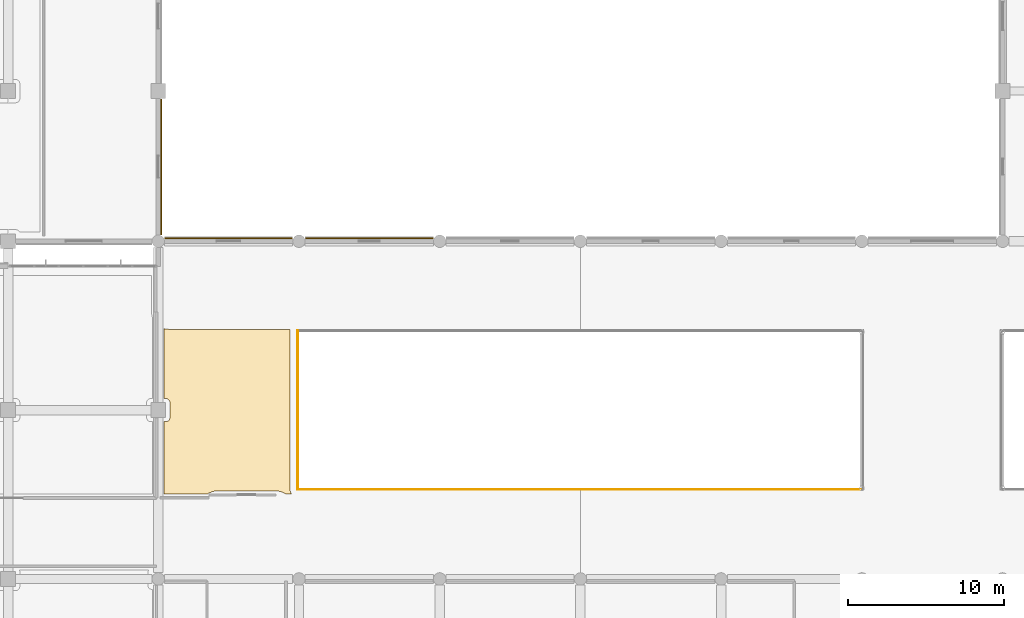
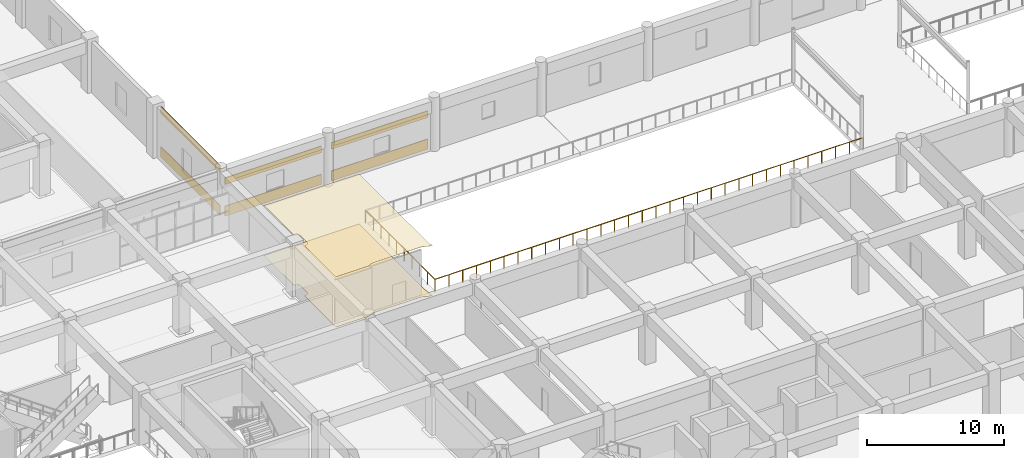
# One storey, part 76 of 86: 8 coverings, 2 railings.
"""IFC4 building model written with IfcOpenShell, lengths in metres."""

from ifc_helpers import new_model, si_unit, direction, frame, origin, origin_2d, place, context, subcontext, project, spatial, polyline, rectangle, circle, outline, extrude, material, layer, layer_set, type_object, element, save


model = new_model("IFC4")

# Units and contexts
model_context = context("Model", 3, precision=1e-05, world=origin(), true_north=direction((0.0, 1.0)))
body_context = subcontext(model_context, "Body", "Model", "MODEL_VIEW")
ifc_project = project(units=[si_unit("LENGTHUNIT", "METRE"), si_unit("AREAUNIT", "SQUARE_METRE"), si_unit("VOLUMEUNIT", "CUBIC_METRE"), si_unit("PLANEANGLEUNIT", "RADIAN"), si_unit("MASSUNIT", "GRAM", prefix="KILO")], contexts=[model_context])

# Site, building, storey
site_placement = place(None, origin())
site = spatial("IfcSite", under=ifc_project, at=site_placement, CompositionType="ELEMENT")
building_placement = place(site_placement, origin())
building = spatial("IfcBuilding", under=site, at=building_placement, Name="Cendralis Terraced Arcade", CompositionType="ELEMENT")
storey_placement = place(building_placement, frame((0.0, 0.0, 5.39990234375)))
storey = spatial("IfcBuildingStorey", under=building, at=storey_placement, Name="L01", CompositionType="ELEMENT", Elevation=5.39990234375)

# Coverings
ifc_material_1 = material(Name="Gypsum plasterboard acoustic partition")
ifc_layer_1 = layer(ifc_material_1, 0.02490234375, Name="COV-CEIL-ACOU-25")
ifc_layer_set_1 = layer_set([ifc_layer_1], Name="Gypsum plasterboard acoustic partition")
covering_type_1 = type_object("IfcCoveringType", Name="COV-CEIL-ACOU-25", PredefinedType="CEILING", material=ifc_layer_set_1)
covering_1_placement = place(storey_placement, frame((0.0, 0.0, 4.47998046875)))
element("IfcCovering", 1, at=covering_1_placement, inside=storey, type_object=covering_type_1, Name="Acoustic Soffit Ceiling L01-054", PredefinedType="CEILING", context=body_context, shape_type="SweptSolid", body=[
    extrude(outline(polyline([(67.574951171875, 54.412841796875), (67.5810546875, 54.411376953125), (67.639892578125, 54.396484375), (67.64599609375, 54.395263671875), (67.651611328125, 54.393798828125), (67.65771484375, 54.392578125), (67.669189453125, 54.390380859375), (67.67529296875, 54.38916015625), (67.68115234375, 54.38818359375), (67.68701171875, 54.38720703125), (67.747314453125, 54.37841796875), (67.75341796875, 54.37744140625), (67.75927734375, 54.376708984375), (67.765380859375, 54.376220703125), (67.777099609375, 54.375), (67.783203125, 54.37451171875), (67.7890625, 54.3740234375), (67.795166015625, 54.37353515625), (67.85595703125, 54.37060546875), (67.85888671875, 54.37060546875), (67.862060546875, 54.370361328125), (67.864990234375, 54.370361328125), (67.870849609375, 54.3701171875), (67.8740234375, 54.3701171875), (67.876953125, 54.3701171875), (67.8798828125, 54.3701171875), (75.63525390625, 54.3701171875), (75.6337890625, 54.365478515625), (75.630615234375, 54.353759765625), (75.625244140625, 54.332763671875), (75.62255859375, 54.32080078125), (75.620361328125, 54.309326171875), (75.6181640625, 54.297119140625), (75.614990234375, 54.27587890625), (75.613525390625, 54.263671875), (75.6123046875, 54.251953125), (75.611572265625, 54.23974609375), (75.6103515625, 54.21826171875), (75.610107421875, 54.2119140625), (75.610107421875, 54.2060546875), (75.610107421875, 54.199951171875), (75.610107421875, 44.199951171875), (75.610107421875, 44.19384765625), (75.610107421875, 44.18798828125), (75.6103515625, 44.181884765625), (75.611572265625, 44.160400390625), (75.6123046875, 44.14794921875), (75.613525390625, 44.13623046875), (75.614990234375, 44.1240234375), (75.6181640625, 44.102783203125), (75.620361328125, 44.0908203125), (75.62255859375, 44.0791015625), (75.625244140625, 44.067138671875), (75.630615234375, 44.046142578125), (75.6337890625, 44.034423828125), (75.63720703125, 44.023193359375), (75.64111328125, 44.011474609375), (75.6484375, 43.9912109375), (75.65283203125, 43.979736328125), (75.6572265625, 43.96875), (75.662353515625, 43.95751953125), (75.67138671875, 43.93798828125), (75.677001953125, 43.927001953125), (75.6826171875, 43.916748046875), (75.688720703125, 43.906005859375), (75.69970703125, 43.8876953125), (75.706298828125, 43.877197265625), (75.712890625, 43.867431640625), (75.719970703125, 43.857421875), (75.73291015625, 43.840087890625), (75.740234375, 43.830322265625), (75.740478515625, 43.830078125), (75.3544921875, 43.830078125), (75.350830078125, 43.832763671875), (75.345947265625, 43.836181640625), (75.3408203125, 43.839599609375), (75.3310546875, 43.84619140625), (75.325927734375, 43.849365234375), (75.321044921875, 43.8525390625), (75.31591796875, 43.855712890625), (75.263671875, 43.88720703125), (75.25830078125, 43.89013671875), (75.253173828125, 43.89306640625), (75.247802734375, 43.89599609375), (75.2373046875, 43.901611328125), (75.23193359375, 43.904296875), (75.226806640625, 43.906982421875), (75.22119140625, 43.90966796875), (75.166259765625, 43.935791015625), (75.16064453125, 43.938232421875), (75.1552734375, 43.940673828125), (75.149658203125, 43.943115234375), (75.138671875, 43.947509765625), (75.133056640625, 43.949951171875), (75.12744140625, 43.951904296875), (75.12158203125, 43.9541015625), (75.064453125, 43.974609375), (75.05859375, 43.976806640625), (75.052978515625, 43.978515625), (75.047119140625, 43.98046875), (75.035888671875, 43.98388671875), (75.030029296875, 43.985595703125), (75.0244140625, 43.987060546875), (75.018310546875, 43.988525390625), (74.95947265625, 44.00341796875), (74.953369140625, 44.0048828125), (74.94775390625, 44.006103515625), (74.941650390625, 44.00732421875), (74.93017578125, 44.009765625), (74.924072265625, 44.0107421875), (74.918212890625, 44.01171875), (74.912109375, 44.0126953125), (74.85205078125, 44.021728515625), (74.845947265625, 44.0224609375), (74.840087890625, 44.023193359375), (74.833984375, 44.02392578125), (74.822265625, 44.025146484375), (74.816162109375, 44.025634765625), (74.810302734375, 44.02587890625), (74.80419921875, 44.0263671875), (74.743408203125, 44.029296875), (74.740478515625, 44.029541015625), (74.7373046875, 44.029541015625), (74.734375, 44.02978515625), (74.728515625, 44.02978515625), (74.725341796875, 44.02978515625), (74.722412109375, 44.030029296875), (74.719482421875, 44.030029296875), (70.980712890625, 44.030029296875), (70.9775390625, 44.030029296875), (70.974609375, 44.02978515625), (70.9716796875, 44.02978515625), (70.9658203125, 44.02978515625), (70.962890625, 44.02978515625), (70.959716796875, 44.029541015625), (70.956787109375, 44.029296875), (70.896484375, 44.026611328125), (70.890625, 44.026123046875), (70.884765625, 44.025634765625), (70.878662109375, 44.025146484375), (70.8671875, 44.024169921875), (70.861083984375, 44.0234375), (70.855224609375, 44.022705078125), (70.849365234375, 44.02197265625), (70.789794921875, 44.01318359375), (70.78369140625, 44.01220703125), (70.77783203125, 44.01123046875), (70.77197265625, 44.010009765625), (70.760498046875, 44.0078125), (70.754638671875, 44.006591796875), (70.748779296875, 44.00537109375), (70.742919921875, 44.00390625), (70.6845703125, 43.989501953125), (70.6787109375, 43.98779296875), (70.673095703125, 43.986328125), (70.667236328125, 43.984619140625), (70.656005859375, 43.981201171875), (70.650146484375, 43.9794921875), (70.64453125, 43.977783203125), (70.638916015625, 43.975830078125), (70.58203125, 43.955810546875), (70.576416015625, 43.95361328125), (70.571044921875, 43.951416015625), (70.565185546875, 43.94921875), (70.554443359375, 43.94482421875), (70.548828125, 43.9423828125), (70.543701171875, 43.940185546875), (70.5380859375, 43.9375), (70.4833984375, 43.912109375), (70.47802734375, 43.909423828125), (70.472900390625, 43.906982421875), (70.46728515625, 43.904052734375), (70.45703125, 43.898681640625), (70.451904296875, 43.895751953125), (70.44677734375, 43.892822265625), (70.44140625, 43.889892578125), (70.3896484375, 43.859130859375), (70.384521484375, 43.85595703125), (70.37939453125, 43.852783203125), (70.374267578125, 43.849609375), (70.364501953125, 43.84326171875), (70.359619140625, 43.83984375), (70.354736328125, 43.83642578125), (70.349853515625, 43.8330078125), (70.34716796875, 43.830810546875), (67.570068359375, 43.830078125), (67.570068359375, 48.455078125), (67.675048828125, 48.455078125), (67.687255859375, 48.455322265625), (67.689208984375, 48.455322265625), (67.713623046875, 48.457763671875), (67.715576171875, 48.4580078125), (67.739501953125, 48.462890625), (67.74169921875, 48.46337890625), (67.764892578125, 48.470458984375), (67.766845703125, 48.47119140625), (67.78955078125, 48.48046875), (67.791259765625, 48.4814453125), (67.81298828125, 48.492919921875), (67.814697265625, 48.493896484375), (67.8349609375, 48.507568359375), (67.836669921875, 48.5087890625), (67.855712890625, 48.5244140625), (67.85693359375, 48.525634765625), (67.87451171875, 48.54296875), (67.875732421875, 48.54443359375), (67.891357421875, 48.5634765625), (67.892333984375, 48.56494140625), (67.906005859375, 48.58544921875), (67.906982421875, 48.5869140625), (67.918701171875, 48.608642578125), (67.91943359375, 48.610595703125), (67.928955078125, 48.633056640625), (67.929443359375, 48.635009765625), (67.9365234375, 48.658447265625), (67.93701171875, 48.660400390625), (67.94189453125, 48.684326171875), (67.942138671875, 48.686279296875), (67.944580078125, 48.710693359375), (67.944580078125, 48.712646484375), (67.945068359375, 48.72509765625), (67.945068359375, 49.675048828125), (67.944580078125, 49.687255859375), (67.944580078125, 49.689208984375), (67.942138671875, 49.713623046875), (67.94189453125, 49.715576171875), (67.93701171875, 49.739501953125), (67.9365234375, 49.74169921875), (67.929443359375, 49.764892578125), (67.928955078125, 49.766845703125), (67.91943359375, 49.78955078125), (67.918701171875, 49.791259765625), (67.906982421875, 49.81298828125), (67.906005859375, 49.814697265625), (67.892333984375, 49.8349609375), (67.891357421875, 49.836669921875), (67.875732421875, 49.855712890625), (67.87451171875, 49.85693359375), (67.85693359375, 49.87451171875), (67.855712890625, 49.875732421875), (67.836669921875, 49.891357421875), (67.8349609375, 49.892333984375), (67.814697265625, 49.906005859375), (67.81298828125, 49.906982421875), (67.791259765625, 49.918701171875), (67.78955078125, 49.91943359375), (67.766845703125, 49.928955078125), (67.764892578125, 49.929443359375), (67.74169921875, 49.9365234375), (67.739501953125, 49.93701171875), (67.715576171875, 49.94189453125), (67.713623046875, 49.942138671875), (67.689208984375, 49.944580078125), (67.687255859375, 49.944580078125), (67.675048828125, 49.945068359375), (67.570068359375, 49.945068359375), (67.570068359375, 54.414306640625), (67.574951171875, 54.412841796875)])), origin(), (0.0, 0.0, 1.0), 0.025146484375),
])
ifc_material_2 = material(Name="Precast concrete f'c 40 MPa", Category="concrete")
ifc_layer_2 = layer(ifc_material_2, 0.06494140625, Name="COV-CLAD-GRC-65")
ifc_layer_set_2 = layer_set([ifc_layer_2], Name="Precast concrete f'c 40 MPa")
covering_type_2 = type_object("IfcCoveringType", Name="COV-CLAD-GRC-65", PredefinedType="CLADDING", material=ifc_layer_set_2)
covering_2_placement = place(storey_placement, frame((71.699951171875, 60.179931640625, 0.000244140625), z_axis=(0.0, 0.0, 1.0), x_axis=(1.0, 0.0, 0.0)))
element("IfcCovering", 2, at=covering_2_placement, inside=storey, type_object=covering_type_2, Name="Banded Precast Stone Spandrel Cladding L01-195", PredefinedType="CLADDING", context=body_context, shape_type="SweptSolid", body=[
    extrude(rectangle(XDim=8.14404296875, YDim=0.06494140625, at=origin_2d()), origin(), (0.0, 0.0, 1.0), 0.89990234375),
])
covering_3_placement = place(storey_placement, frame((71.699951171875, 60.179931640625, 2.824951171875), z_axis=(0.0, 0.0, 1.0), x_axis=(1.0, 0.0, 0.0)))
element("IfcCovering", 3, at=covering_3_placement, inside=storey, type_object=covering_type_2, Name="Banded Precast Stone Lintel Cladding L01-196", PredefinedType="CLADDING", context=body_context, shape_type="SweptSolid", body=[
    extrude(rectangle(XDim=8.14404296875, YDim=0.06494140625, at=origin_2d()), origin(), (0.0, 0.0, 1.0), 0.60009765625),
])
covering_4_placement = place(storey_placement, frame((80.699951171875, 60.179931640625, 0.000244140625), z_axis=(0.0, 0.0, 1.0), x_axis=(1.0, 0.0, 0.0)))
element("IfcCovering", 4, at=covering_4_placement, inside=storey, type_object=covering_type_2, Name="Banded Precast Stone Spandrel Cladding L01-197", PredefinedType="CLADDING", context=body_context, shape_type="SweptSolid", body=[
    extrude(rectangle(XDim=8.14404296875, YDim=0.06494140625, at=origin_2d()), origin(), (0.0, 0.0, 1.0), 0.89990234375),
])
covering_5_placement = place(storey_placement, frame((80.699951171875, 60.179931640625, 2.824951171875), z_axis=(0.0, 0.0, 1.0), x_axis=(1.0, 0.0, 0.0)))
element("IfcCovering", 5, at=covering_5_placement, inside=storey, type_object=covering_type_2, Name="Banded Precast Stone Lintel Cladding L01-198", PredefinedType="CLADDING", context=body_context, shape_type="SweptSolid", body=[
    extrude(rectangle(XDim=8.14404296875, YDim=0.06494140625, at=origin_2d()), origin(), (0.0, 0.0, 1.0), 0.60009765625),
])
covering_6_placement = place(storey_placement, frame((67.3798828125, 64.762451171875, 0.000244140625), z_axis=(0.0, 0.0, 1.0), x_axis=(0.0, -1.0, 0.0)))
element("IfcCovering", 6, at=covering_6_placement, inside=storey, type_object=covering_type_2, Name="Banded Precast Stone Spandrel Cladding L01-233", PredefinedType="CLADDING", context=body_context, shape_type="SweptSolid", body=[
    extrude(rectangle(XDim=8.6689453125, YDim=0.06494140625, at=origin_2d()), origin(), (0.0, 0.0, 1.0), 0.89990234375),
])
covering_7_placement = place(storey_placement, frame((67.3798828125, 64.762451171875, 3.885009765625), z_axis=(0.0, 0.0, 1.0), x_axis=(0.0, -1.0, 0.0)))
element("IfcCovering", 7, at=covering_7_placement, inside=storey, type_object=covering_type_2, Name="Banded Precast Stone Lintel Cladding L01-234", PredefinedType="CLADDING", context=body_context, shape_type="SweptSolid", body=[
    extrude(rectangle(XDim=8.6689453125, YDim=0.06494140625, at=origin_2d()), origin(), (0.0, 0.0, 1.0), 0.60009765625),
])
ifc_material_3 = material(Name="Polished Bogota limestone terrazzo flooring", Category="masonry")
ifc_layer_3 = layer(ifc_material_3, 0.030029296875, Name="COV-FLR-TERZ-30")
ifc_layer_set_3 = layer_set([ifc_layer_3], Name="Polished Bogota limestone terrazzo flooring")
covering_type_3 = type_object("IfcCoveringType", Name="COV-FLR-TERZ-30", PredefinedType="FLOORING", material=ifc_layer_set_3)
covering_8_placement = place(storey_placement, origin())
element("IfcCovering", 8, at=covering_8_placement, inside=storey, type_object=covering_type_3, Name="Interior Finish Flooring L01-054", PredefinedType="FLOORING", context=body_context, shape_type="SweptSolid", body=[
    extrude(outline(polyline([(67.574951171875, 54.412841796875), (67.5810546875, 54.411376953125), (67.639892578125, 54.396484375), (67.64599609375, 54.395263671875), (67.651611328125, 54.393798828125), (67.65771484375, 54.392578125), (67.669189453125, 54.390380859375), (67.67529296875, 54.38916015625), (67.68115234375, 54.38818359375), (67.68701171875, 54.38720703125), (67.747314453125, 54.37841796875), (67.75341796875, 54.37744140625), (67.75927734375, 54.376708984375), (67.765380859375, 54.376220703125), (67.777099609375, 54.375), (67.783203125, 54.37451171875), (67.7890625, 54.3740234375), (67.795166015625, 54.37353515625), (67.85595703125, 54.37060546875), (67.85888671875, 54.37060546875), (67.862060546875, 54.370361328125), (67.864990234375, 54.370361328125), (67.870849609375, 54.3701171875), (67.8740234375, 54.3701171875), (67.876953125, 54.3701171875), (67.8798828125, 54.3701171875), (75.63525390625, 54.3701171875), (75.6337890625, 54.365478515625), (75.630615234375, 54.353759765625), (75.625244140625, 54.332763671875), (75.62255859375, 54.32080078125), (75.620361328125, 54.309326171875), (75.6181640625, 54.297119140625), (75.614990234375, 54.27587890625), (75.613525390625, 54.263671875), (75.6123046875, 54.251953125), (75.611572265625, 54.23974609375), (75.6103515625, 54.21826171875), (75.610107421875, 54.2119140625), (75.610107421875, 54.2060546875), (75.610107421875, 54.199951171875), (75.610107421875, 44.199951171875), (75.610107421875, 44.19384765625), (75.610107421875, 44.18798828125), (75.6103515625, 44.181884765625), (75.611572265625, 44.160400390625), (75.6123046875, 44.14794921875), (75.613525390625, 44.13623046875), (75.614990234375, 44.1240234375), (75.6181640625, 44.102783203125), (75.620361328125, 44.0908203125), (75.62255859375, 44.0791015625), (75.625244140625, 44.067138671875), (75.630615234375, 44.046142578125), (75.6337890625, 44.034423828125), (75.63720703125, 44.023193359375), (75.64111328125, 44.011474609375), (75.6484375, 43.9912109375), (75.65283203125, 43.979736328125), (75.6572265625, 43.96875), (75.662353515625, 43.95751953125), (75.67138671875, 43.93798828125), (75.677001953125, 43.927001953125), (75.6826171875, 43.916748046875), (75.688720703125, 43.906005859375), (75.69970703125, 43.8876953125), (75.706298828125, 43.877197265625), (75.712890625, 43.867431640625), (75.719970703125, 43.857421875), (75.73291015625, 43.840087890625), (75.740234375, 43.830322265625), (75.740478515625, 43.830078125), (75.3544921875, 43.830078125), (75.350830078125, 43.832763671875), (75.345947265625, 43.836181640625), (75.3408203125, 43.839599609375), (75.3310546875, 43.84619140625), (75.325927734375, 43.849365234375), (75.321044921875, 43.8525390625), (75.31591796875, 43.855712890625), (75.263671875, 43.88720703125), (75.25830078125, 43.89013671875), (75.253173828125, 43.89306640625), (75.247802734375, 43.89599609375), (75.2373046875, 43.901611328125), (75.23193359375, 43.904296875), (75.226806640625, 43.906982421875), (75.22119140625, 43.90966796875), (75.166259765625, 43.935791015625), (75.16064453125, 43.938232421875), (75.1552734375, 43.940673828125), (75.149658203125, 43.943115234375), (75.138671875, 43.947509765625), (75.133056640625, 43.949951171875), (75.12744140625, 43.951904296875), (75.12158203125, 43.9541015625), (75.064453125, 43.974609375), (75.05859375, 43.976806640625), (75.052978515625, 43.978515625), (75.047119140625, 43.98046875), (75.035888671875, 43.98388671875), (75.030029296875, 43.985595703125), (75.0244140625, 43.987060546875), (75.018310546875, 43.988525390625), (74.95947265625, 44.00341796875), (74.953369140625, 44.0048828125), (74.94775390625, 44.006103515625), (74.941650390625, 44.00732421875), (74.93017578125, 44.009765625), (74.924072265625, 44.0107421875), (74.918212890625, 44.01171875), (74.912109375, 44.0126953125), (74.85205078125, 44.021728515625), (74.845947265625, 44.0224609375), (74.840087890625, 44.023193359375), (74.833984375, 44.02392578125), (74.822265625, 44.025146484375), (74.816162109375, 44.025634765625), (74.810302734375, 44.02587890625), (74.80419921875, 44.0263671875), (74.743408203125, 44.029296875), (74.740478515625, 44.029541015625), (74.7373046875, 44.029541015625), (74.734375, 44.02978515625), (74.728515625, 44.02978515625), (74.725341796875, 44.02978515625), (74.722412109375, 44.030029296875), (74.719482421875, 44.030029296875), (70.980712890625, 44.030029296875), (70.9775390625, 44.030029296875), (70.974609375, 44.02978515625), (70.9716796875, 44.02978515625), (70.9658203125, 44.02978515625), (70.962890625, 44.02978515625), (70.959716796875, 44.029541015625), (70.956787109375, 44.029296875), (70.896484375, 44.026611328125), (70.890625, 44.026123046875), (70.884765625, 44.025634765625), (70.878662109375, 44.025146484375), (70.8671875, 44.024169921875), (70.861083984375, 44.0234375), (70.855224609375, 44.022705078125), (70.849365234375, 44.02197265625), (70.789794921875, 44.01318359375), (70.78369140625, 44.01220703125), (70.77783203125, 44.01123046875), (70.77197265625, 44.010009765625), (70.760498046875, 44.0078125), (70.754638671875, 44.006591796875), (70.748779296875, 44.00537109375), (70.742919921875, 44.00390625), (70.6845703125, 43.989501953125), (70.6787109375, 43.98779296875), (70.673095703125, 43.986328125), (70.667236328125, 43.984619140625), (70.656005859375, 43.981201171875), (70.650146484375, 43.9794921875), (70.64453125, 43.977783203125), (70.638916015625, 43.975830078125), (70.58203125, 43.955810546875), (70.576416015625, 43.95361328125), (70.571044921875, 43.951416015625), (70.565185546875, 43.94921875), (70.554443359375, 43.94482421875), (70.548828125, 43.9423828125), (70.543701171875, 43.940185546875), (70.5380859375, 43.9375), (70.4833984375, 43.912109375), (70.47802734375, 43.909423828125), (70.472900390625, 43.906982421875), (70.46728515625, 43.904052734375), (70.45703125, 43.898681640625), (70.451904296875, 43.895751953125), (70.44677734375, 43.892822265625), (70.44140625, 43.889892578125), (70.3896484375, 43.859130859375), (70.384521484375, 43.85595703125), (70.37939453125, 43.852783203125), (70.374267578125, 43.849609375), (70.364501953125, 43.84326171875), (70.359619140625, 43.83984375), (70.354736328125, 43.83642578125), (70.349853515625, 43.8330078125), (70.34716796875, 43.830810546875), (67.570068359375, 43.830078125), (67.570068359375, 48.455078125), (67.675048828125, 48.455078125), (67.687255859375, 48.455322265625), (67.689208984375, 48.455322265625), (67.713623046875, 48.457763671875), (67.715576171875, 48.4580078125), (67.739501953125, 48.462890625), (67.74169921875, 48.46337890625), (67.764892578125, 48.470458984375), (67.766845703125, 48.47119140625), (67.78955078125, 48.48046875), (67.791259765625, 48.4814453125), (67.81298828125, 48.492919921875), (67.814697265625, 48.493896484375), (67.8349609375, 48.507568359375), (67.836669921875, 48.5087890625), (67.855712890625, 48.5244140625), (67.85693359375, 48.525634765625), (67.87451171875, 48.54296875), (67.875732421875, 48.54443359375), (67.891357421875, 48.5634765625), (67.892333984375, 48.56494140625), (67.906005859375, 48.58544921875), (67.906982421875, 48.5869140625), (67.918701171875, 48.608642578125), (67.91943359375, 48.610595703125), (67.928955078125, 48.633056640625), (67.929443359375, 48.635009765625), (67.9365234375, 48.658447265625), (67.93701171875, 48.660400390625), (67.94189453125, 48.684326171875), (67.942138671875, 48.686279296875), (67.944580078125, 48.710693359375), (67.944580078125, 48.712646484375), (67.945068359375, 48.72509765625), (67.945068359375, 49.675048828125), (67.944580078125, 49.687255859375), (67.944580078125, 49.689208984375), (67.942138671875, 49.713623046875), (67.94189453125, 49.715576171875), (67.93701171875, 49.739501953125), (67.9365234375, 49.74169921875), (67.929443359375, 49.764892578125), (67.928955078125, 49.766845703125), (67.91943359375, 49.78955078125), (67.918701171875, 49.791259765625), (67.906982421875, 49.81298828125), (67.906005859375, 49.814697265625), (67.892333984375, 49.8349609375), (67.891357421875, 49.836669921875), (67.875732421875, 49.855712890625), (67.87451171875, 49.85693359375), (67.85693359375, 49.87451171875), (67.855712890625, 49.875732421875), (67.836669921875, 49.891357421875), (67.8349609375, 49.892333984375), (67.814697265625, 49.906005859375), (67.81298828125, 49.906982421875), (67.791259765625, 49.918701171875), (67.78955078125, 49.91943359375), (67.766845703125, 49.928955078125), (67.764892578125, 49.929443359375), (67.74169921875, 49.9365234375), (67.739501953125, 49.93701171875), (67.715576171875, 49.94189453125), (67.713623046875, 49.942138671875), (67.689208984375, 49.944580078125), (67.687255859375, 49.944580078125), (67.675048828125, 49.945068359375), (67.570068359375, 49.945068359375), (67.570068359375, 54.414306640625), (67.574951171875, 54.412841796875)])), origin(), (0.0, 0.0, 1.0), 0.030029296875),
])

# Railings
ifc_material_4 = material(Name="Brushed stainless steel AISI 316", Category="steel")
railing_type = type_object("IfcRailingType", Name="RL-VOID-BAL-1150", PredefinedType="BALUSTRADE", material=ifc_material_4)
railing_1_placement = place(storey_placement, frame((76.1201171875, 44.1201171875, 0.0)))
element("IfcRailing", 9, at=railing_1_placement, inside=storey, type_object=railing_type, Name="Atrium and Arcade Gallery Balustrade L01-040", PredefinedType="BALUSTRADE", context=body_context, shape_type="SweptSolid", body=[
    extrude(circle(Radius=0.02392578125, at=origin_2d()), frame((0.0, 0.0, 1.1259765625), z_axis=(1.0, 0.0, 0.0), x_axis=(0.0, 1.0, 0.0)), (0.0, 0.0, 1.0), 36.159912109375),
    extrude(circle(Radius=0.02099609375, at=origin_2d()), origin(), (0.0, 0.0, 1.0), 1.101806640625),
    extrude(circle(Radius=0.02099609375, at=origin_2d()), frame((1.16650390625, 0.0, 0.0)), (0.0, 0.0, 1.0), 1.101806640625),
    extrude(circle(Radius=0.02099609375, at=origin_2d()), frame((2.3330078125, 0.0, 0.0)), (0.0, 0.0, 1.0), 1.101806640625),
    extrude(circle(Radius=0.02099609375, at=origin_2d()), frame((3.499267578125, 0.0, 0.0)), (0.0, 0.0, 1.0), 1.101806640625),
    extrude(circle(Radius=0.02099609375, at=origin_2d()), frame((4.665771484375, 0.0, 0.0)), (0.0, 0.0, 1.0), 1.101806640625),
    extrude(circle(Radius=0.02099609375, at=origin_2d()), frame((5.832275390625, 0.0, 0.0)), (0.0, 0.0, 1.0), 1.101806640625),
    extrude(circle(Radius=0.02099609375, at=origin_2d()), frame((6.998779296875, 0.0, 0.0)), (0.0, 0.0, 1.0), 1.101806640625),
    extrude(circle(Radius=0.02099609375, at=origin_2d()), frame((8.1650390625, 0.0, 0.0)), (0.0, 0.0, 1.0), 1.101806640625),
    extrude(circle(Radius=0.02099609375, at=origin_2d()), frame((9.33154296875, 0.0, 0.0)), (0.0, 0.0, 1.0), 1.101806640625),
    extrude(circle(Radius=0.02099609375, at=origin_2d()), frame((10.498046875, 0.0, 0.0)), (0.0, 0.0, 1.0), 1.101806640625),
    extrude(circle(Radius=0.02099609375, at=origin_2d()), frame((11.66455078125, 0.0, 0.0)), (0.0, 0.0, 1.0), 1.101806640625),
    extrude(circle(Radius=0.02099609375, at=origin_2d()), frame((12.8310546875, 0.0, 0.0)), (0.0, 0.0, 1.0), 1.101806640625),
    extrude(circle(Radius=0.02099609375, at=origin_2d()), frame((13.997314453125, 0.0, 0.0)), (0.0, 0.0, 1.0), 1.101806640625),
    extrude(circle(Radius=0.02099609375, at=origin_2d()), frame((15.163818359375, 0.0, 0.0)), (0.0, 0.0, 1.0), 1.101806640625),
    extrude(circle(Radius=0.02099609375, at=origin_2d()), frame((16.330322265625, 0.0, 0.0)), (0.0, 0.0, 1.0), 1.101806640625),
    extrude(circle(Radius=0.02099609375, at=origin_2d()), frame((17.496826171875, 0.0, 0.0)), (0.0, 0.0, 1.0), 1.101806640625),
    extrude(circle(Radius=0.02099609375, at=origin_2d()), frame((18.6630859375, 0.0, 0.0)), (0.0, 0.0, 1.0), 1.101806640625),
    extrude(circle(Radius=0.02099609375, at=origin_2d()), frame((19.82958984375, 0.0, 0.0)), (0.0, 0.0, 1.0), 1.101806640625),
    extrude(circle(Radius=0.02099609375, at=origin_2d()), frame((20.99609375, 0.0, 0.0)), (0.0, 0.0, 1.0), 1.101806640625),
    extrude(circle(Radius=0.02099609375, at=origin_2d()), frame((22.16259765625, 0.0, 0.0)), (0.0, 0.0, 1.0), 1.101806640625),
    extrude(circle(Radius=0.02099609375, at=origin_2d()), frame((23.328857421875, 0.0, 0.0)), (0.0, 0.0, 1.0), 1.101806640625),
    extrude(circle(Radius=0.02099609375, at=origin_2d()), frame((24.495361328125, 0.0, 0.0)), (0.0, 0.0, 1.0), 1.101806640625),
    extrude(circle(Radius=0.02099609375, at=origin_2d()), frame((25.661865234375, 0.0, 0.0)), (0.0, 0.0, 1.0), 1.101806640625),
    extrude(circle(Radius=0.02099609375, at=origin_2d()), frame((26.828369140625, 0.0, 0.0)), (0.0, 0.0, 1.0), 1.101806640625),
    extrude(circle(Radius=0.02099609375, at=origin_2d()), frame((27.994873046875, 0.0, 0.0)), (0.0, 0.0, 1.0), 1.101806640625),
    extrude(circle(Radius=0.02099609375, at=origin_2d()), frame((29.1611328125, 0.0, 0.0)), (0.0, 0.0, 1.0), 1.101806640625),
    extrude(circle(Radius=0.02099609375, at=origin_2d()), frame((30.32763671875, 0.0, 0.0)), (0.0, 0.0, 1.0), 1.101806640625),
    extrude(circle(Radius=0.02099609375, at=origin_2d()), frame((31.494140625, 0.0, 0.0)), (0.0, 0.0, 1.0), 1.101806640625),
    extrude(circle(Radius=0.02099609375, at=origin_2d()), frame((32.66064453125, 0.0, 0.0)), (0.0, 0.0, 1.0), 1.101806640625),
    extrude(circle(Radius=0.02099609375, at=origin_2d()), frame((33.826904296875, 0.0, 0.0)), (0.0, 0.0, 1.0), 1.101806640625),
    extrude(circle(Radius=0.02099609375, at=origin_2d()), frame((34.993408203125, 0.0, 0.0)), (0.0, 0.0, 1.0), 1.101806640625),
    extrude(circle(Radius=0.02099609375, at=origin_2d()), frame((36.159912109375, 0.0, 0.0)), (0.0, 0.0, 1.0), 1.101806640625),
])
railing_2_placement = place(storey_placement, frame((76.1201171875, 54.280029296875, 0.0)))
element("IfcRailing", 10, at=railing_2_placement, inside=storey, type_object=railing_type, Name="Atrium and Arcade Gallery Balustrade L01-043", PredefinedType="BALUSTRADE", context=body_context, shape_type="SweptSolid", body=[
    extrude(circle(Radius=0.02392578125, at=origin_2d()), frame((0.0, 0.0, 1.1259765625), z_axis=(0.0, -1.0, 0.0), x_axis=(1.0, 0.0, 0.0)), (0.0, 0.0, 1.0), 10.159912109375),
    extrude(circle(Radius=0.02099609375, at=origin_2d()), origin(), (0.0, 0.0, 1.0), 1.101806640625),
    extrude(circle(Radius=0.02099609375, at=origin_2d()), frame((0.0, -1.12890625, 0.0)), (0.0, 0.0, 1.0), 1.101806640625),
    extrude(circle(Radius=0.02099609375, at=origin_2d()), frame((0.0, -2.2578125, 0.0)), (0.0, 0.0, 1.0), 1.101806640625),
    extrude(circle(Radius=0.02099609375, at=origin_2d()), frame((0.0, -3.38671875, 0.0)), (0.0, 0.0, 1.0), 1.101806640625),
    extrude(circle(Radius=0.02099609375, at=origin_2d()), frame((0.0, -4.515625, 0.0)), (0.0, 0.0, 1.0), 1.101806640625),
    extrude(circle(Radius=0.02099609375, at=origin_2d()), frame((0.0, -5.644287109375, 0.0)), (0.0, 0.0, 1.0), 1.101806640625),
    extrude(circle(Radius=0.02099609375, at=origin_2d()), frame((0.0, -6.773193359375, 0.0)), (0.0, 0.0, 1.0), 1.101806640625),
    extrude(circle(Radius=0.02099609375, at=origin_2d()), frame((0.0, -7.902099609375, 0.0)), (0.0, 0.0, 1.0), 1.101806640625),
    extrude(circle(Radius=0.02099609375, at=origin_2d()), frame((0.0, -9.031005859375, 0.0)), (0.0, 0.0, 1.0), 1.101806640625),
    extrude(circle(Radius=0.02099609375, at=origin_2d()), frame((0.0, -10.159912109375, 0.0)), (0.0, 0.0, 1.0), 1.101806640625),
])

save(model, "model.ifc")
